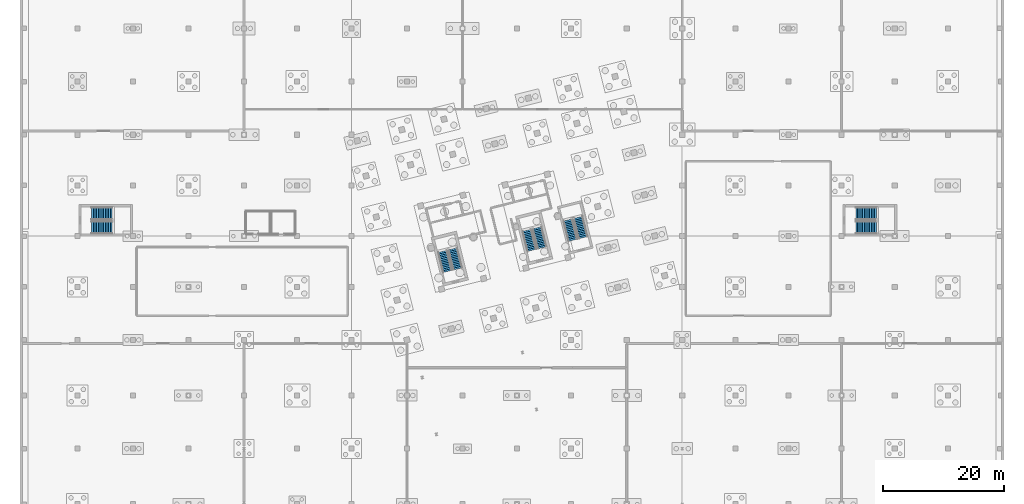
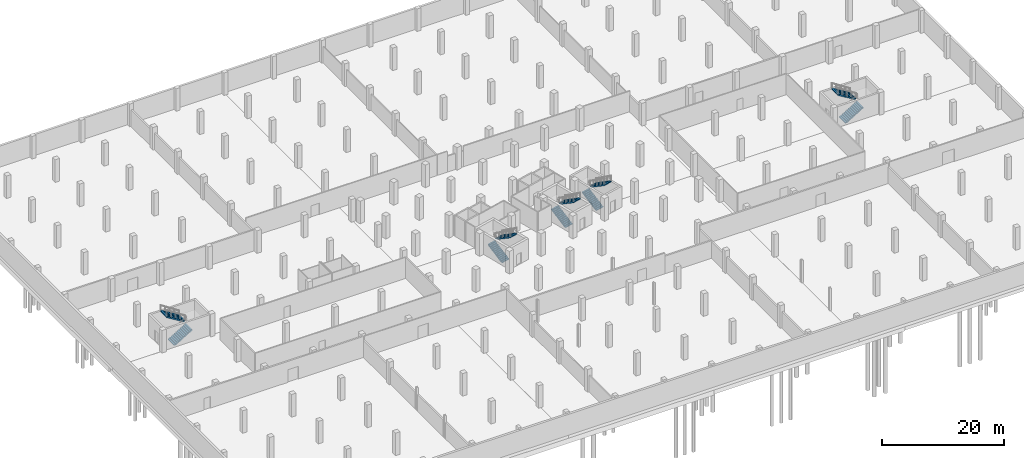
# One storey, part 26 of 29: 10 stair flights, 5 elements without a shape of their own.
"""IFC4 building model written with IfcOpenShell, lengths in metres."""

from ifc_helpers import new_model, si_unit, direction, frame, origin, place, context, subcontext, project, spatial, polyline, outline, extrude, material, type_object, element, aggregate, save


model = new_model("IFC4")

# Units and contexts
model_context = context("Model", 3, precision=1e-05, world=origin(), true_north=direction((0.0, 1.0)))
body_context = subcontext(model_context, "Body", "Model", "MODEL_VIEW")
ifc_project = project(units=[si_unit("LENGTHUNIT", "METRE"), si_unit("AREAUNIT", "SQUARE_METRE"), si_unit("VOLUMEUNIT", "CUBIC_METRE"), si_unit("PLANEANGLEUNIT", "RADIAN"), si_unit("MASSUNIT", "GRAM", prefix="KILO")], contexts=[model_context])

# Site, building, storey
site_placement = place(None, origin())
site = spatial("IfcSite", under=ifc_project, at=site_placement, CompositionType="ELEMENT")
building_placement = place(site_placement, origin())
building = spatial("IfcBuilding", under=site, at=building_placement, Name="Meriwether Solvik Hall", CompositionType="ELEMENT")
storey_placement = place(building_placement, frame((0.0, 0.0, -9.0)))
storey = spatial("IfcBuildingStorey", under=building, at=storey_placement, Name="B02", CompositionType="ELEMENT", Elevation=-9.0)

# Stair, stair flights
ifc_material_1 = material(Name="Concrete C40/50", Category="concrete")
stair_type_1 = type_object("IfcStairType", Name="STR-CORE-DOGLEG-B", PredefinedType="TWO_STRAIGHT_RUN_STAIR", material=ifc_material_1)
stair_1_placement = place(storey_placement, origin())
stair_1 = element("IfcStair", 1, at=stair_1_placement, inside=storey, type_object=stair_type_1, Name="Exit Stair ST-01 (B02)", PredefinedType="TWO_STRAIGHT_RUN_STAIR")
ifc_material_2 = material(Name="Concrete C40/50", Category="concrete")
stair_flight_type_1 = type_object("IfcStairFlightType", Name="SFL-RC-156", PredefinedType="STRAIGHT", material=ifc_material_2)
stair_flight_1_placement = place(storey_placement, frame((75.310791015625, 52.56103515625, 0.0), z_axis=(0.0, 0.0, 1.0), x_axis=(-0.2419218956, 0.970295726276, 0.0)))
stair_flight_1 = element("IfcStairFlight", 2, at=stair_flight_1_placement, type_object=stair_flight_type_1, Name="Stair ST-01 Lower Flight (B02)", NumberOfRisers=13, NumberOfTreads=12, PredefinedType="STRAIGHT", RiserHeight=0.173077, TreadLength=0.285, context=body_context, shape_type="SweptSolid", body=[
    extrude(outline(polyline([(0.0, 0.0), (0.0, 0.173095703125), (0.284912109375, 0.173095703125), (0.284912109375, 0.34619140625), (0.570068359375, 0.34619140625), (0.570068359375, 0.519287109375), (0.85498046875, 0.519287109375), (0.85498046875, 0.6923828125), (1.139892578125, 0.6923828125), (1.139892578125, 0.865478515625), (1.425048828125, 0.865478515625), (1.425048828125, 1.03857421875), (1.7099609375, 1.03857421875), (1.7099609375, 1.21142578125), (1.9951171875, 1.21142578125), (1.9951171875, 1.384521484375), (2.280029296875, 1.384521484375), (2.280029296875, 1.5576171875), (2.56494140625, 1.5576171875), (2.56494140625, 1.730712890625), (2.85009765625, 1.730712890625), (2.85009765625, 1.90380859375), (3.135009765625, 1.90380859375), (3.135009765625, 2.076904296875), (3.419921875, 2.076904296875), (3.419921875, 2.25), (3.419921875, 1.866455078125), (0.3466796875, 0.0), (0.0, 0.0)])), frame((0.0, 0.780029296875, 0.0), z_axis=(0.0, -1.0, 0.0), x_axis=(1.0, 0.0, 0.0)), (0.0, 0.0, 1.0), 1.56005859375),
])
stair_flight_2_placement = place(storey_placement, frame((76.210693359375, 56.31005859375, 2.25), z_axis=(0.0, 0.0, 1.0), x_axis=(0.2419218956, -0.970295726276, 0.0)))
stair_flight_2 = element("IfcStairFlight", 3, at=stair_flight_2_placement, type_object=stair_flight_type_1, Name="Stair ST-01 Upper Flight (B02)", NumberOfRisers=13, NumberOfTreads=12, PredefinedType="STRAIGHT", RiserHeight=0.173077, TreadLength=0.285, context=body_context, shape_type="SweptSolid", body=[
    extrude(outline(polyline([(0.0, 0.0), (0.0, 0.173095703125), (0.284912109375, 0.173095703125), (0.284912109375, 0.34619140625), (0.570068359375, 0.34619140625), (0.570068359375, 0.519287109375), (0.85498046875, 0.519287109375), (0.85498046875, 0.6923828125), (1.139892578125, 0.6923828125), (1.139892578125, 0.865478515625), (1.425048828125, 0.865478515625), (1.425048828125, 1.03857421875), (1.7099609375, 1.03857421875), (1.7099609375, 1.21142578125), (1.9951171875, 1.21142578125), (1.9951171875, 1.384521484375), (2.280029296875, 1.384521484375), (2.280029296875, 1.5576171875), (2.56494140625, 1.5576171875), (2.56494140625, 1.730712890625), (2.85009765625, 1.730712890625), (2.85009765625, 1.90380859375), (3.135009765625, 1.90380859375), (3.135009765625, 2.076904296875), (3.419921875, 2.076904296875), (3.419921875, 2.25), (3.419921875, 1.866455078125), (0.3466796875, 0.0), (0.0, 0.0)])), frame((0.0, 0.780029296875, 0.0), z_axis=(0.0, -1.0, 0.0), x_axis=(1.0, 0.0, 0.0)), (0.0, 0.0, 1.0), 1.56005859375),
])
aggregate(stair_1, [stair_flight_1, stair_flight_2])

stair_2_placement = place(storey_placement, origin())
stair_2 = element("IfcStair", 4, at=stair_2_placement, inside=storey, type_object=stair_type_1, Name="Exit Stair ST-02 (B02)", PredefinedType="TWO_STRAIGHT_RUN_STAIR")
stair_flight_3_placement = place(storey_placement, frame((89.283203125, 56.044677734375, 0.0), z_axis=(0.0, 0.0, 1.0), x_axis=(-0.2419218956, 0.970295726276, 0.0)))
stair_flight_3 = element("IfcStairFlight", 5, at=stair_flight_3_placement, type_object=stair_flight_type_1, Name="Stair ST-02 Lower Flight (B02)", NumberOfRisers=13, NumberOfTreads=12, PredefinedType="STRAIGHT", RiserHeight=0.173077, TreadLength=0.285, context=body_context, shape_type="SweptSolid", body=[
    extrude(outline(polyline([(0.0, 0.0), (0.0, 0.173095703125), (0.284912109375, 0.173095703125), (0.284912109375, 0.34619140625), (0.570068359375, 0.34619140625), (0.570068359375, 0.519287109375), (0.85498046875, 0.519287109375), (0.85498046875, 0.6923828125), (1.139892578125, 0.6923828125), (1.139892578125, 0.865478515625), (1.425048828125, 0.865478515625), (1.425048828125, 1.03857421875), (1.7099609375, 1.03857421875), (1.7099609375, 1.21142578125), (1.9951171875, 1.21142578125), (1.9951171875, 1.384521484375), (2.280029296875, 1.384521484375), (2.280029296875, 1.5576171875), (2.56494140625, 1.5576171875), (2.56494140625, 1.730712890625), (2.85009765625, 1.730712890625), (2.85009765625, 1.90380859375), (3.135009765625, 1.90380859375), (3.135009765625, 2.076904296875), (3.419921875, 2.076904296875), (3.419921875, 2.25), (3.419921875, 1.866455078125), (0.3466796875, 0.0), (0.0, 0.0)])), frame((0.0, 0.780029296875, 0.0), z_axis=(0.0, -1.0, 0.0), x_axis=(1.0, 0.0, 0.0)), (0.0, 0.0, 1.0), 1.56005859375),
])
stair_flight_4_placement = place(storey_placement, frame((90.182861328125, 59.793701171875, 2.25), z_axis=(0.0, 0.0, 1.0), x_axis=(0.2419218956, -0.970295726276, 0.0)))
stair_flight_4 = element("IfcStairFlight", 6, at=stair_flight_4_placement, type_object=stair_flight_type_1, Name="Stair ST-02 Upper Flight (B02)", NumberOfRisers=13, NumberOfTreads=12, PredefinedType="STRAIGHT", RiserHeight=0.173077, TreadLength=0.285, context=body_context, shape_type="SweptSolid", body=[
    extrude(outline(polyline([(0.0, 0.0), (0.0, 0.173095703125), (0.284912109375, 0.173095703125), (0.284912109375, 0.34619140625), (0.570068359375, 0.34619140625), (0.570068359375, 0.519287109375), (0.85498046875, 0.519287109375), (0.85498046875, 0.6923828125), (1.139892578125, 0.6923828125), (1.139892578125, 0.865478515625), (1.425048828125, 0.865478515625), (1.425048828125, 1.03857421875), (1.7099609375, 1.03857421875), (1.7099609375, 1.21142578125), (1.9951171875, 1.21142578125), (1.9951171875, 1.384521484375), (2.280029296875, 1.384521484375), (2.280029296875, 1.5576171875), (2.56494140625, 1.5576171875), (2.56494140625, 1.730712890625), (2.85009765625, 1.730712890625), (2.85009765625, 1.90380859375), (3.135009765625, 1.90380859375), (3.135009765625, 2.076904296875), (3.419921875, 2.076904296875), (3.419921875, 2.25), (3.419921875, 1.866455078125), (0.3466796875, 0.0), (0.0, 0.0)])), frame((0.0, 0.780029296875, 0.0), z_axis=(0.0, -1.0, 0.0), x_axis=(1.0, 0.0, 0.0)), (0.0, 0.0, 1.0), 1.56005859375),
])
aggregate(stair_2, [stair_flight_3, stair_flight_4])

stair_3_placement = place(storey_placement, origin())
stair_3 = element("IfcStair", 7, at=stair_3_placement, inside=storey, type_object=stair_type_1, Name="Exit Stair ST-03 (B02)", PredefinedType="TWO_STRAIGHT_RUN_STAIR")
stair_flight_5_placement = place(storey_placement, frame((96.0751953125, 57.738037109375, 0.0), z_axis=(0.0, 0.0, 1.0), x_axis=(-0.2419218956, 0.970295726276, 0.0)))
stair_flight_5 = element("IfcStairFlight", 8, at=stair_flight_5_placement, type_object=stair_flight_type_1, Name="Stair ST-03 Lower Flight (B02)", NumberOfRisers=13, NumberOfTreads=12, PredefinedType="STRAIGHT", RiserHeight=0.173077, TreadLength=0.285, context=body_context, shape_type="SweptSolid", body=[
    extrude(outline(polyline([(0.0, 0.0), (0.0, 0.173095703125), (0.284912109375, 0.173095703125), (0.284912109375, 0.34619140625), (0.570068359375, 0.34619140625), (0.570068359375, 0.519287109375), (0.85498046875, 0.519287109375), (0.85498046875, 0.6923828125), (1.139892578125, 0.6923828125), (1.139892578125, 0.865478515625), (1.425048828125, 0.865478515625), (1.425048828125, 1.03857421875), (1.7099609375, 1.03857421875), (1.7099609375, 1.21142578125), (1.9951171875, 1.21142578125), (1.9951171875, 1.384521484375), (2.280029296875, 1.384521484375), (2.280029296875, 1.5576171875), (2.56494140625, 1.5576171875), (2.56494140625, 1.730712890625), (2.85009765625, 1.730712890625), (2.85009765625, 1.90380859375), (3.135009765625, 1.90380859375), (3.135009765625, 2.076904296875), (3.419921875, 2.076904296875), (3.419921875, 2.25), (3.419921875, 1.866455078125), (0.3466796875, 0.0), (0.0, 0.0)])), frame((0.0, 0.780029296875, 0.0), z_axis=(0.0, -1.0, 0.0), x_axis=(1.0, 0.0, 0.0)), (0.0, 0.0, 1.0), 1.56005859375),
])
stair_flight_6_placement = place(storey_placement, frame((96.974853515625, 61.487060546875, 2.25), z_axis=(0.0, 0.0, 1.0), x_axis=(0.2419218956, -0.970295726276, 0.0)))
stair_flight_6 = element("IfcStairFlight", 9, at=stair_flight_6_placement, type_object=stair_flight_type_1, Name="Stair ST-03 Upper Flight (B02)", NumberOfRisers=13, NumberOfTreads=12, PredefinedType="STRAIGHT", RiserHeight=0.173077, TreadLength=0.285, context=body_context, shape_type="SweptSolid", body=[
    extrude(outline(polyline([(0.0, 0.0), (0.0, 0.173095703125), (0.284912109375, 0.173095703125), (0.284912109375, 0.34619140625), (0.570068359375, 0.34619140625), (0.570068359375, 0.519287109375), (0.85498046875, 0.519287109375), (0.85498046875, 0.6923828125), (1.139892578125, 0.6923828125), (1.139892578125, 0.865478515625), (1.425048828125, 0.865478515625), (1.425048828125, 1.03857421875), (1.7099609375, 1.03857421875), (1.7099609375, 1.21142578125), (1.9951171875, 1.21142578125), (1.9951171875, 1.384521484375), (2.280029296875, 1.384521484375), (2.280029296875, 1.5576171875), (2.56494140625, 1.5576171875), (2.56494140625, 1.730712890625), (2.85009765625, 1.730712890625), (2.85009765625, 1.90380859375), (3.135009765625, 1.90380859375), (3.135009765625, 2.076904296875), (3.419921875, 2.076904296875), (3.419921875, 2.25), (3.419921875, 1.866455078125), (0.3466796875, 0.0), (0.0, 0.0)])), frame((0.0, 0.780029296875, 0.0), z_axis=(0.0, -1.0, 0.0), x_axis=(1.0, 0.0, 0.0)), (0.0, 0.0, 1.0), 1.56005859375),
])
aggregate(stair_3, [stair_flight_5, stair_flight_6])

ifc_material_3 = material(Name="Concrete C40/50", Category="concrete")
stair_type_2 = type_object("IfcStairType", Name="STR-CORE-WIDE", PredefinedType="TWO_STRAIGHT_RUN_STAIR", material=ifc_material_3)
stair_4_placement = place(storey_placement, origin())
stair_4 = element("IfcStair", 10, at=stair_4_placement, inside=storey, type_object=stair_type_2, Name="Exit Stair ST-04 (B02)", PredefinedType="TWO_STRAIGHT_RUN_STAIR")
ifc_material_4 = material(Name="Concrete C40/50", Category="concrete")
stair_flight_type_2 = type_object("IfcStairFlightType", Name="SFL-RC-205", PredefinedType="STRAIGHT", material=ifc_material_4)
stair_flight_7_placement = place(storey_placement, frame((16.35009765625, 59.804931640625, 0.0), z_axis=(0.0, 0.0, 1.0), x_axis=(1.0, 0.0, 0.0)))
stair_flight_7 = element("IfcStairFlight", 11, at=stair_flight_7_placement, type_object=stair_flight_type_2, Name="Stair ST-04 Lower Flight (B02)", NumberOfRisers=13, NumberOfTreads=12, PredefinedType="STRAIGHT", RiserHeight=0.173077, TreadLength=0.285, context=body_context, shape_type="SweptSolid", body=[
    extrude(outline(polyline([(0.0, 0.0), (0.0, 0.173095703125), (0.284912109375, 0.173095703125), (0.284912109375, 0.34619140625), (0.570068359375, 0.34619140625), (0.570068359375, 0.519287109375), (0.85498046875, 0.519287109375), (0.85498046875, 0.6923828125), (1.139892578125, 0.6923828125), (1.139892578125, 0.865478515625), (1.425048828125, 0.865478515625), (1.425048828125, 1.03857421875), (1.7099609375, 1.03857421875), (1.7099609375, 1.21142578125), (1.9951171875, 1.21142578125), (1.9951171875, 1.384521484375), (2.280029296875, 1.384521484375), (2.280029296875, 1.5576171875), (2.56494140625, 1.5576171875), (2.56494140625, 1.730712890625), (2.85009765625, 1.730712890625), (2.85009765625, 1.90380859375), (3.135009765625, 1.90380859375), (3.135009765625, 2.076904296875), (3.419921875, 2.076904296875), (3.419921875, 2.25), (3.419921875, 1.866455078125), (0.3466796875, 0.0), (0.0, 0.0)])), frame((0.0, 1.02490234375, 0.0), z_axis=(0.0, -1.0, 0.0), x_axis=(1.0, 0.0, 0.0)), (0.0, 0.0, 1.0), 2.050048828125),
])
stair_flight_8_placement = place(storey_placement, frame((19.77001953125, 62.195068359375, 2.25), z_axis=(0.0, 0.0, 1.0), x_axis=(-1.0, 0.0, 0.0)))
stair_flight_8 = element("IfcStairFlight", 12, at=stair_flight_8_placement, type_object=stair_flight_type_2, Name="Stair ST-04 Upper Flight (B02)", NumberOfRisers=13, NumberOfTreads=12, PredefinedType="STRAIGHT", RiserHeight=0.173077, TreadLength=0.285, context=body_context, shape_type="SweptSolid", body=[
    extrude(outline(polyline([(0.0, 0.0), (0.0, 0.173095703125), (0.284912109375, 0.173095703125), (0.284912109375, 0.34619140625), (0.570068359375, 0.34619140625), (0.570068359375, 0.519287109375), (0.85498046875, 0.519287109375), (0.85498046875, 0.6923828125), (1.139892578125, 0.6923828125), (1.139892578125, 0.865478515625), (1.425048828125, 0.865478515625), (1.425048828125, 1.03857421875), (1.7099609375, 1.03857421875), (1.7099609375, 1.21142578125), (1.9951171875, 1.21142578125), (1.9951171875, 1.384521484375), (2.280029296875, 1.384521484375), (2.280029296875, 1.5576171875), (2.56494140625, 1.5576171875), (2.56494140625, 1.730712890625), (2.85009765625, 1.730712890625), (2.85009765625, 1.90380859375), (3.135009765625, 1.90380859375), (3.135009765625, 2.076904296875), (3.419921875, 2.076904296875), (3.419921875, 2.25), (3.419921875, 1.866455078125), (0.3466796875, 0.0), (0.0, 0.0)])), frame((0.0, 1.02490234375, 0.0), z_axis=(0.0, -1.0, 0.0), x_axis=(1.0, 0.0, 0.0)), (0.0, 0.0, 1.0), 2.050048828125),
])
aggregate(stair_4, [stair_flight_7, stair_flight_8])

stair_5_placement = place(storey_placement, origin())
stair_5 = element("IfcStair", 13, at=stair_5_placement, inside=storey, type_object=stair_type_2, Name="Exit Stair ST-05 (B02)", PredefinedType="TWO_STRAIGHT_RUN_STAIR")
stair_flight_9_placement = place(storey_placement, frame((142.949951171875, 59.804931640625, 0.0), z_axis=(0.0, 0.0, 1.0), x_axis=(1.0, 0.0, 0.0)))
stair_flight_9 = element("IfcStairFlight", 14, at=stair_flight_9_placement, type_object=stair_flight_type_2, Name="Stair ST-05 Lower Flight (B02)", NumberOfRisers=13, NumberOfTreads=12, PredefinedType="STRAIGHT", RiserHeight=0.173077, TreadLength=0.285, context=body_context, shape_type="SweptSolid", body=[
    extrude(outline(polyline([(0.0, 0.0), (0.0, 0.173095703125), (0.284912109375, 0.173095703125), (0.284912109375, 0.34619140625), (0.570068359375, 0.34619140625), (0.570068359375, 0.519287109375), (0.85498046875, 0.519287109375), (0.85498046875, 0.6923828125), (1.139892578125, 0.6923828125), (1.139892578125, 0.865478515625), (1.425048828125, 0.865478515625), (1.425048828125, 1.03857421875), (1.7099609375, 1.03857421875), (1.7099609375, 1.21142578125), (1.9951171875, 1.21142578125), (1.9951171875, 1.384521484375), (2.280029296875, 1.384521484375), (2.280029296875, 1.5576171875), (2.56494140625, 1.5576171875), (2.56494140625, 1.730712890625), (2.85009765625, 1.730712890625), (2.85009765625, 1.90380859375), (3.135009765625, 1.90380859375), (3.135009765625, 2.076904296875), (3.419921875, 2.076904296875), (3.419921875, 2.25), (3.419921875, 1.866455078125), (0.3466796875, 0.0), (0.0, 0.0)])), frame((0.0, 1.02490234375, 0.0), z_axis=(0.0, -1.0, 0.0), x_axis=(1.0, 0.0, 0.0)), (0.0, 0.0, 1.0), 2.050048828125),
])
stair_flight_10_placement = place(storey_placement, frame((146.3701171875, 62.195068359375, 2.25), z_axis=(0.0, 0.0, 1.0), x_axis=(-1.0, 0.0, 0.0)))
stair_flight_10 = element("IfcStairFlight", 15, at=stair_flight_10_placement, type_object=stair_flight_type_2, Name="Stair ST-05 Upper Flight (B02)", NumberOfRisers=13, NumberOfTreads=12, PredefinedType="STRAIGHT", RiserHeight=0.173077, TreadLength=0.285, context=body_context, shape_type="SweptSolid", body=[
    extrude(outline(polyline([(0.0, 0.0), (0.0, 0.173095703125), (0.284912109375, 0.173095703125), (0.284912109375, 0.34619140625), (0.570068359375, 0.34619140625), (0.570068359375, 0.519287109375), (0.85498046875, 0.519287109375), (0.85498046875, 0.6923828125), (1.139892578125, 0.6923828125), (1.139892578125, 0.865478515625), (1.425048828125, 0.865478515625), (1.425048828125, 1.03857421875), (1.7099609375, 1.03857421875), (1.7099609375, 1.21142578125), (1.9951171875, 1.21142578125), (1.9951171875, 1.384521484375), (2.280029296875, 1.384521484375), (2.280029296875, 1.5576171875), (2.56494140625, 1.5576171875), (2.56494140625, 1.730712890625), (2.85009765625, 1.730712890625), (2.85009765625, 1.90380859375), (3.135009765625, 1.90380859375), (3.135009765625, 2.076904296875), (3.419921875, 2.076904296875), (3.419921875, 2.25), (3.419921875, 1.866455078125), (0.3466796875, 0.0), (0.0, 0.0)])), frame((0.0, 1.02490234375, 0.0), z_axis=(0.0, -1.0, 0.0), x_axis=(1.0, 0.0, 0.0)), (0.0, 0.0, 1.0), 2.050048828125),
])
aggregate(stair_5, [stair_flight_9, stair_flight_10])

save(model, "model.ifc")
